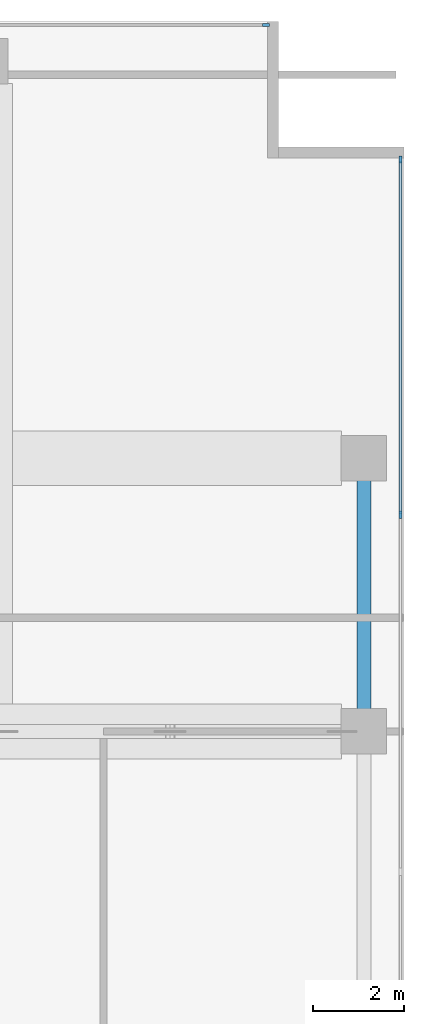
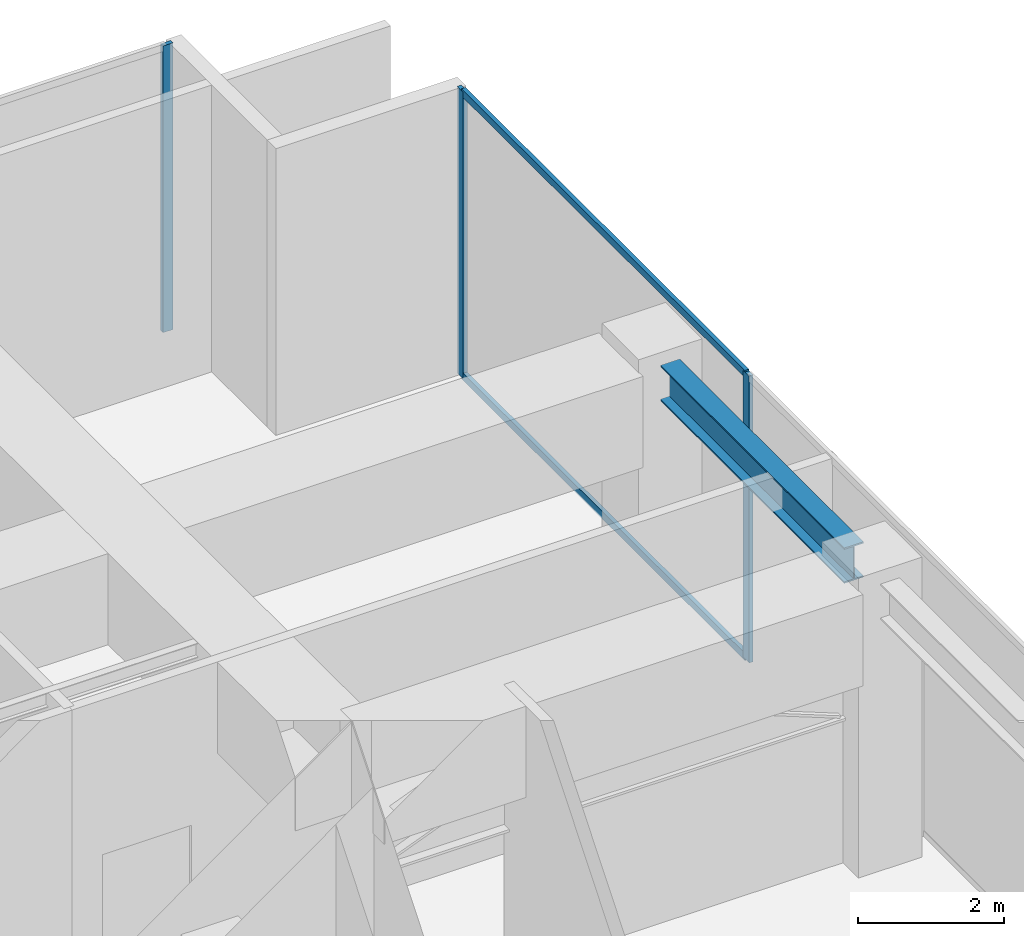
# One storey, part 12 of 28: 5 members, 1 beam, 2 elements without a shape of their own.
"""IFC4 building model written with IfcOpenShell, lengths in metres."""

from ifc_helpers import new_model, si_unit, direction, frame, origin, origin_2d, place, context, subcontext, project, spatial, rectangle, i_section, extrude, material, layer, layer_set, material_profile, profile_set, type_object, element, aggregate, save


model = new_model("IFC4")

# Units and contexts
model_context = context("Model", 3, precision=1e-05, world=origin(), true_north=direction((0.0, 1.0)))
body_context = subcontext(model_context, "Body", "Model", "MODEL_VIEW")
ifc_project = project(units=[si_unit("LENGTHUNIT", "METRE"), si_unit("AREAUNIT", "SQUARE_METRE"), si_unit("VOLUMEUNIT", "CUBIC_METRE"), si_unit("PLANEANGLEUNIT", "RADIAN"), si_unit("MASSUNIT", "GRAM", prefix="KILO")], contexts=[model_context])

# Site, building, storey
site_placement = place(None, origin())
site = spatial("IfcSite", under=ifc_project, at=site_placement, CompositionType="ELEMENT")
building_placement = place(site_placement, origin())
building = spatial("IfcBuilding", under=site, at=building_placement, Name="Putna Gate Headquarters", CompositionType="ELEMENT")
storey_placement = place(building_placement, frame((0.0, 0.0, 197.39990234375)))
storey = spatial("IfcBuildingStorey", under=building, at=storey_placement, Name="L49", CompositionType="ELEMENT", Elevation=197.39990234375)

# Beam
ifc_material_1 = material(Name="Steel S355J2", Category="steel")
ifc_material_profile_1 = material_profile(ifc_material_1, i_section(OverallWidth=0.300048828125, OverallDepth=0.590087890625, WebThickness=0.012939453125, FlangeThickness=0.02490234375, at=origin_2d()), Name="Steel S355J2")
ifc_profile_set_1 = profile_set([ifc_material_profile_1], Name="Steel S355J2")
beam_type = type_object("IfcBeamType", Name="BM-SPAN-Z4-HEA600", PredefinedType="SPANDREL", material=ifc_profile_set_1)
beam_placement = place(storey_placement, frame((73.320068359375, 33.488037109375, 4.485107421875), z_axis=(0.0, 1.0, 0.0), x_axis=(-1.0, 0.0, 0.0)))
element("IfcBeam", 1, at=beam_placement, inside=storey, type_object=beam_type, Name="L49 E End Spandrel 3", PredefinedType="SPANDREL", context=body_context, shape_type="SweptSolid", body=[
    extrude(i_section(OverallWidth=0.300048828125, OverallDepth=0.590087890625, WebThickness=0.012939453125, FlangeThickness=0.02490234375, at=origin_2d()), origin(), (0.0, 0.0, 1.0), 5.02392578125),
])

# Curtain wall, member
ifc_material_2 = material(Name="Anodised bronze aluminium curtain wall", Category="aluminium")
ifc_layer = layer(ifc_material_2, 0.159912109375)
ifc_layer_set = layer_set([ifc_layer], Name="Anodised bronze aluminium curtain wall")
curtain_wall_type = type_object("IfcCurtainWallType", Name="CW-SYS-CRN", PredefinedType="USERDEFINED", material=ifc_layer_set)
curtain_wall_1_placement = place(storey_placement, origin())
curtain_wall_1 = element("IfcCurtainWall", 2, at=curtain_wall_1_placement, inside=storey, type_object=curtain_wall_type, Name="L49 Acoustic Louvre North Enclosure", ObjectType="STICK CURTAIN WALL", PredefinedType="USERDEFINED")
ifc_material_3 = material(Name="Anodised bronze aluminium EN AW-6060", Category="aluminium")
ifc_material_profile_2 = material_profile(ifc_material_3, rectangle(XDim=0.06494140625, YDim=0.159912109375, at=origin_2d()), Name="Anodised bronze aluminium EN AW-6060")
ifc_profile_set_2 = profile_set([ifc_material_profile_2], Name="Anodised bronze aluminium EN AW-6060")
member_type_1 = type_object("IfcMemberType", Name="MULL-CWM-CR", PredefinedType="MULLION", material=ifc_profile_set_2)
member_1_placement = place(storey_placement, frame((71.16748046875, 48.52001953125, 0.0), z_axis=(0.0, 0.0, 1.0), x_axis=(0.0, 1.0, 0.0)))
member_1 = element("IfcMember", 3, at=member_1_placement, type_object=member_type_1, Name="CWS-CR mullion 10", PredefinedType="MULLION", context=body_context, shape_type="SweptSolid", body=[
    extrude(rectangle(XDim=0.06494140625, YDim=0.159912109375, at=origin_2d()), origin(), (0.0, 0.0, 1.0), 4.780029296875),
])
aggregate(curtain_wall_1, [member_1])

# Curtain wall, members
curtain_wall_2_placement = place(storey_placement, origin())
curtain_wall_2 = element("IfcCurtainWall", 4, at=curtain_wall_2_placement, inside=storey, type_object=curtain_wall_type, Name="L49 Acoustic Louvre East Enclosure", ObjectType="STICK CURTAIN WALL", PredefinedType="USERDEFINED")
member_2_placement = place(storey_placement, frame((74.1201171875, 37.760009765625, 0.0), z_axis=(0.0, 0.0, 1.0), x_axis=(-1.0, 0.0, 0.0)))
member_2 = element("IfcMember", 5, at=member_2_placement, type_object=member_type_1, Name="CWS-CR mullion 5", PredefinedType="MULLION", context=body_context, shape_type="SweptSolid", body=[
    extrude(rectangle(XDim=0.06494140625, YDim=0.159912109375, at=origin_2d()), origin(), (0.0, 0.0, 1.0), 4.780029296875),
])
member_3_placement = place(storey_placement, frame((74.1201171875, 45.5673828125, 0.0), z_axis=(0.0, 0.0, 1.0), x_axis=(-1.0, 0.0, 0.0)))
member_3 = element("IfcMember", 6, at=member_3_placement, type_object=member_type_1, Name="CWS-CR mullion 6", PredefinedType="MULLION", context=body_context, shape_type="SweptSolid", body=[
    extrude(rectangle(XDim=0.06494140625, YDim=0.159912109375, at=origin_2d()), origin(), (0.0, 0.0, 1.0), 4.780029296875),
])
ifc_material_profile_3 = material_profile(ifc_material_3, rectangle(XDim=0.06494140625, YDim=0.1201171875, at=origin_2d()), Name="Anodised bronze aluminium EN AW-6060")
ifc_profile_set_3 = profile_set([ifc_material_profile_3], Name="Anodised bronze aluminium EN AW-6060")
member_type_2 = type_object("IfcMemberType", Name="TRAN-CWT-CR", PredefinedType="USERDEFINED", material=ifc_profile_set_3)
member_4_placement = place(storey_placement, frame((74.1201171875, 37.79248046875, 0.03271484375), z_axis=(0.0, 1.0, 0.0), x_axis=(-1.0, 0.0, 0.0)))
member_4 = element("IfcMember", 7, at=member_4_placement, type_object=member_type_2, Name="CWS-CR transom 5.1", ObjectType="TRANSOM", PredefinedType="USERDEFINED", context=body_context, shape_type="SweptSolid", body=[
    extrude(rectangle(XDim=0.06494140625, YDim=0.1201171875, at=origin_2d()), origin(), (0.0, 0.0, 1.0), 7.742431640625),
])
member_5_placement = place(storey_placement, frame((74.1201171875, 37.79248046875, 4.74755859375), z_axis=(0.0, 1.0, 0.0), x_axis=(-1.0, 0.0, 0.0)))
member_5 = element("IfcMember", 8, at=member_5_placement, type_object=member_type_2, Name="CWS-CR transom 5.2", ObjectType="TRANSOM", PredefinedType="USERDEFINED", context=body_context, shape_type="SweptSolid", body=[
    extrude(rectangle(XDim=0.06494140625, YDim=0.1201171875, at=origin_2d()), origin(), (0.0, 0.0, 1.0), 7.742431640625),
])
aggregate(curtain_wall_2, [member_2, member_3, member_4, member_5])

save(model, "model.ifc")
